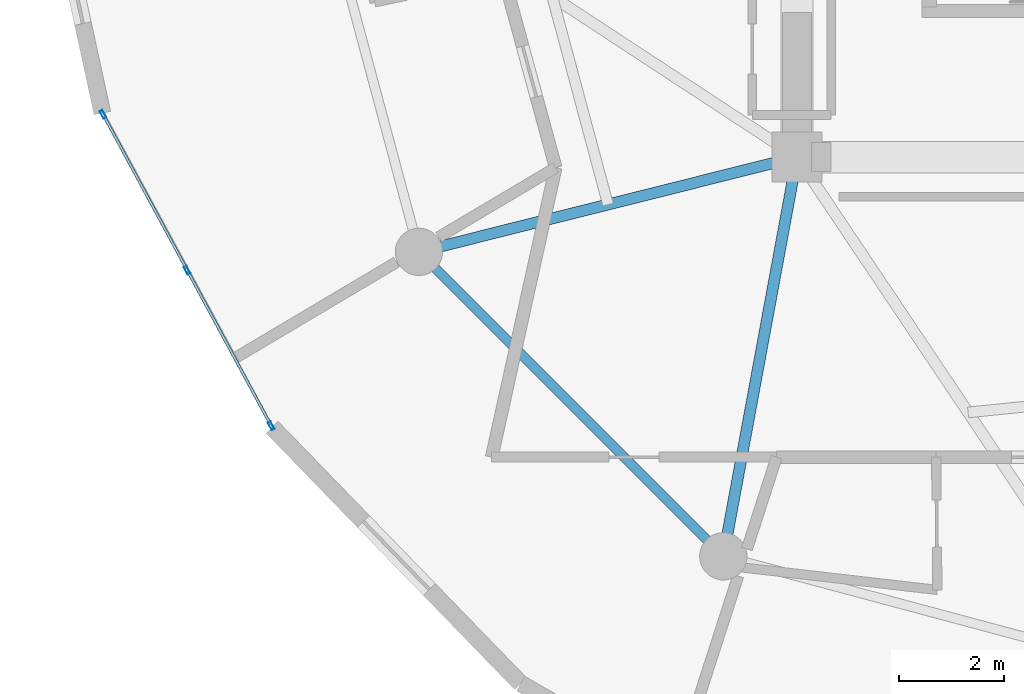
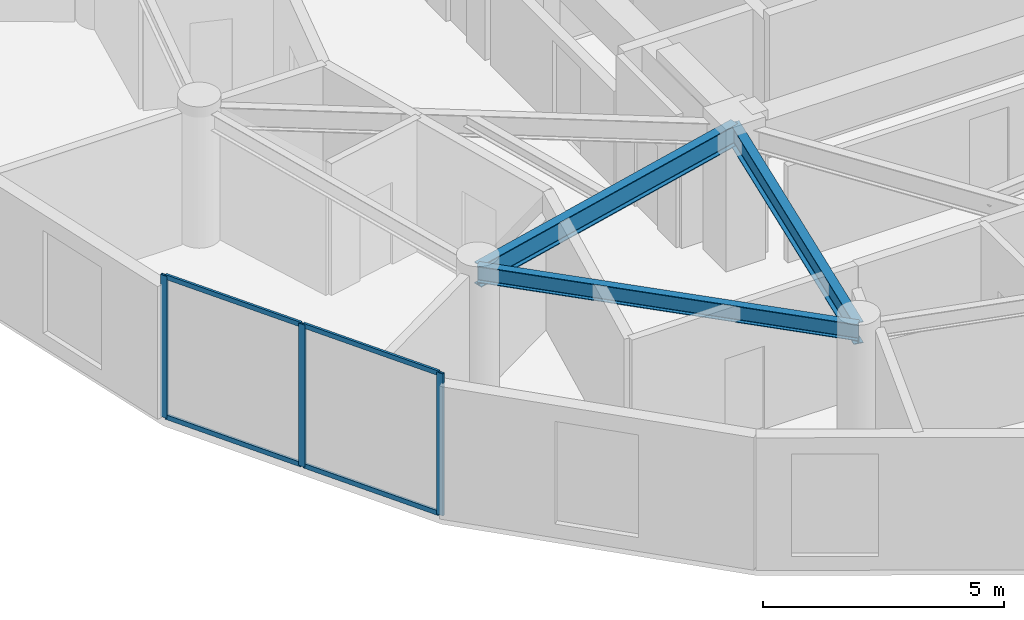
# One storey, part 3 of 23: 7 members, 3 beams, 1 element without a shape of its own.
"""IFC4 building model written with IfcOpenShell, lengths in metres."""

from ifc_helpers import new_model, si_unit, direction, frame, origin, origin_2d, place, context, subcontext, project, spatial, hollow_rectangle, i_section, extrude, source, transform, mapped, material, layer, layer_set, material_profile, profile_set, type_object, element, aggregate, save


model = new_model("IFC4")

# Units and contexts
model_context = context("Model", 3, precision=1e-05, world=origin(), true_north=direction((0.0, 1.0)))
body_context = subcontext(model_context, "Body", "Model", "MODEL_VIEW")
ifc_project = project(units=[si_unit("LENGTHUNIT", "METRE"), si_unit("AREAUNIT", "SQUARE_METRE"), si_unit("VOLUMEUNIT", "CUBIC_METRE"), si_unit("PLANEANGLEUNIT", "RADIAN"), si_unit("MASSUNIT", "GRAM", prefix="KILO")], contexts=[model_context])

# Site, building, storey
site_placement = place(None, origin())
site = spatial("IfcSite", under=ifc_project, at=site_placement, CompositionType="ELEMENT")
building_placement = place(site_placement, origin())
building = spatial("IfcBuilding", under=site, at=building_placement, Name="Solvirekh Grand Hotel", CompositionType="ELEMENT")
storey_placement = place(building_placement, frame((0.0, 0.0, 180.39990234375)))
storey = spatial("IfcBuildingStorey", under=building, at=storey_placement, Name="L46", CompositionType="ELEMENT", Elevation=180.39990234375)

# Beams
ifc_material_1 = material(Name="Steel S355", Category="steel")
ifc_material_profile_1 = material_profile(ifc_material_1, i_section(OverallWidth=0.2119140625, OverallDepth=0.5439453125, WebThickness=0.011962890625, FlangeThickness=0.01904296875, FilletRadius=0.013916015625, at=origin_2d()), Name="W530X123")
ifc_profile_set_1 = profile_set([ifc_material_profile_1], Name="Steel S355")
beam_type_1 = type_object("IfcBeamType", Name="Beam_Radial_W530H", PredefinedType="BEAM", material=ifc_profile_set_1)
beam_1_placement = place(storey_placement, frame((-6.5, -6.10009765625, 3.088134765625), z_axis=(-0.970014367692, -0.243047580675, 0.0), x_axis=(0.243047580675, -0.970014367692, 0.0)))
element("IfcBeam", 1, at=beam_1_placement, inside=storey, type_object=beam_type_1, Name="L46 radial floor beam R08", PredefinedType="BEAM", context=body_context, shape_type="SweptSolid", body=[
    extrude(i_section(OverallWidth=0.2119140625, OverallDepth=0.5439453125, WebThickness=0.011962890625, FlangeThickness=0.01904296875, FilletRadius=0.013916015625, at=origin_2d()), origin(), (0.0, 0.0, 1.0), 7.4052734375),
])
beam_2_placement = place(storey_placement, frame((-6.5, -6.10009765625, 3.088134765625), z_axis=(-0.181542769111, -0.983383049978, 0.0), x_axis=(0.983383049978, -0.181542769111, 0.0)))
element("IfcBeam", 2, at=beam_2_placement, inside=storey, type_object=beam_type_1, Name="L46 radial floor beam R09", PredefinedType="BEAM", context=body_context, shape_type="SweptSolid", body=[
    extrude(i_section(OverallWidth=0.2119140625, OverallDepth=0.5439453125, WebThickness=0.011962890625, FlangeThickness=0.01904296875, FilletRadius=0.013916015625, at=origin_2d()), origin(), (0.0, 0.0, 1.0), 7.711181640625),
])
ifc_material_profile_2 = material_profile(ifc_material_1, i_section(OverallWidth=0.180908203125, OverallDepth=0.4169921875, WebThickness=0.010009765625, FlangeThickness=0.01611328125, FilletRadius=0.011962890625, at=origin_2d()), Name="W410X85")
ifc_profile_set_2 = profile_set([ifc_material_profile_2], Name="Steel S355")
beam_type_2 = type_object("IfcBeamType", Name="Spandrel_Ring_W410", PredefinedType="SPANDREL", material=ifc_profile_set_2)
beam_3_placement = place(storey_placement, frame((-13.68310546875, -7.89990234375, 3.152099609375), z_axis=(0.707106781187, -0.707106781187, 0.0), x_axis=(0.707106781187, 0.707106781187, 0.0)))
element("IfcBeam", 3, at=beam_3_placement, inside=storey, type_object=beam_type_2, Name="L46 perimeter spandrel beam 8", PredefinedType="SPANDREL", context=body_context, shape_type="SweptSolid", body=[
    extrude(i_section(OverallWidth=0.180908203125, OverallDepth=0.4169921875, WebThickness=0.010009765625, FlangeThickness=0.01611328125, FilletRadius=0.011962890625, at=origin_2d()), origin(), (0.0, 0.0, 1.0), 8.1787109375),
])

# Curtain wall, members
ifc_material_2 = material(Name="Anodized Bronze Aluminium 6063-T6", Category="aluminium")
ifc_layer = layer(ifc_material_2, 0.159912109375)
ifc_layer_set = layer_set([ifc_layer], Name="Anodized Bronze Aluminium 6063-T6")
curtain_wall_type = type_object("IfcCurtainWallType", Name="CW_Sys4_HighZoneFlushBronzeCW", PredefinedType="NOTDEFINED", material=ifc_layer_set)
curtain_wall_placement = place(storey_placement, origin())
curtain_wall = element("IfcCurtainWall", 4, at=curtain_wall_placement, inside=storey, type_object=curtain_wall_type, Name="L46 unitised bronze-glass curtain wall CW-L46-C15", PredefinedType="NOTDEFINED")
ifc_material_profile_3 = material_profile(ifc_material_2, hollow_rectangle(XDim=0.06005859375, YDim=0.159912109375, WallThickness=0.0048828125, at=origin_2d()), Name="ALU RHS 160X60X5")
ifc_profile_set_3 = profile_set([ifc_material_profile_3], Name="Anodized Bronze Aluminium 6063-T6")
member_type_1 = type_object("IfcMemberType", Name="CWMullion_Sys4", PredefinedType="MULLION", material=ifc_profile_set_3)
shared_shape_1 = source(origin(), body_context, "Body", "SweptSolid", [
    extrude(hollow_rectangle(XDim=0.06005859375, YDim=0.159912109375, WallThickness=0.0048828125, at=origin_2d()), origin(), (0.0, 0.0, 1.0), 3.60009765625),
])
member_1_placement = place(storey_placement, frame((-19.683837890625, -5.288330078125, 0.0), z_axis=(0.0, 0.0, 1.0), x_axis=(0.879893073373, 0.475171736775, 0.0)))
member_1 = element("IfcMember", 5, at=member_1_placement, type_object=member_type_1, Name="U04 mullion 1", PredefinedType="MULLION", context=body_context, shape_type="MappedRepresentation", body=[
    mapped(shared_shape_1, transform((0.0, 0.0, 0.0), x_axis=(1.0, 0.0, 0.0), y_axis=(0.0, 1.0, 0.0), z_axis=(0.0, 0.0, 1.0), scale=1.0)),
])
member_2_placement = place(storey_placement, frame((-18.0859375, -8.2470703125, 0.0), z_axis=(0.0, 0.0, 1.0), x_axis=(0.879893073373, 0.475171736775, 0.0)))
member_2 = element("IfcMember", 6, at=member_2_placement, type_object=member_type_1, Name="U04 mullion 2", PredefinedType="MULLION", context=body_context, shape_type="MappedRepresentation", body=[
    mapped(shared_shape_1, transform((0.0, 0.0, 0.0), x_axis=(1.0, 0.0, 0.0), y_axis=(0.0, 1.0, 0.0), z_axis=(0.0, 0.0, 1.0), scale=1.0)),
])
member_3_placement = place(storey_placement, frame((-16.48828125, -11.20556640625, 0.0), z_axis=(0.0, 0.0, 1.0), x_axis=(0.879893073373, 0.475171736775, 0.0)))
member_3 = element("IfcMember", 7, at=member_3_placement, type_object=member_type_1, Name="U04 mullion 3", PredefinedType="MULLION", context=body_context, shape_type="MappedRepresentation", body=[
    mapped(shared_shape_1, transform((0.0, 0.0, 0.0), x_axis=(1.0, 0.0, 0.0), y_axis=(0.0, 1.0, 0.0), z_axis=(0.0, 0.0, 1.0), scale=1.0)),
])
ifc_material_profile_4 = material_profile(ifc_material_2, hollow_rectangle(XDim=0.054931640625, YDim=0.1201171875, WallThickness=0.00390625, at=origin_2d()), Name="ALU RHS 120X55X4")
ifc_profile_set_4 = profile_set([ifc_material_profile_4], Name="Anodized Bronze Aluminium 6063-T6")
member_type_2 = type_object("IfcMemberType", Name="CWTransom_Sys4", PredefinedType="USERDEFINED", material=ifc_profile_set_4)
shared_shape_2 = source(origin(), body_context, "Body", "SweptSolid", [
    extrude(hollow_rectangle(XDim=0.054931640625, YDim=0.1201171875, WallThickness=0.00390625, at=origin_2d()), origin(), (0.0, 0.0, 1.0), 3.302490234375),
])
member_4_placement = place(storey_placement, frame((-19.66943359375, -5.314697265625, 0.027587890625), z_axis=(0.475113428707, -0.879924559188, 0.0), x_axis=(0.879924559188, 0.475113428707, 0.0)))
member_4 = element("IfcMember", 8, at=member_4_placement, type_object=member_type_2, Name="U04 transom 1.1", ObjectType="TRANSOM", PredefinedType="USERDEFINED", context=body_context, shape_type="MappedRepresentation", body=[
    mapped(shared_shape_2, transform((0.0, 0.0, 0.0), x_axis=(1.0, 0.0, 0.0), y_axis=(0.0, 1.0, 0.0), z_axis=(0.0, 0.0, 1.0), scale=1.0)),
])
member_5_placement = place(storey_placement, frame((-19.66943359375, -5.314697265625, 3.572509765625), z_axis=(0.475113428707, -0.879924559188, 0.0), x_axis=(0.879924559188, 0.475113428707, 0.0)))
member_5 = element("IfcMember", 9, at=member_5_placement, type_object=member_type_2, Name="U04 transom 1.2", ObjectType="TRANSOM", PredefinedType="USERDEFINED", context=body_context, shape_type="MappedRepresentation", body=[
    mapped(shared_shape_2, transform((0.0, 0.0, 0.0), x_axis=(1.0, 0.0, 0.0), y_axis=(0.0, 1.0, 0.0), z_axis=(0.0, 0.0, 1.0), scale=1.0)),
])
member_6_placement = place(storey_placement, frame((-18.07177734375, -8.2734375, 0.027587890625), z_axis=(0.475201571573, -0.87987696093, 0.0), x_axis=(0.87987696093, 0.475201571573, 0.0)))
member_6 = element("IfcMember", 10, at=member_6_placement, type_object=member_type_2, Name="U04 transom 2.1", ObjectType="TRANSOM", PredefinedType="USERDEFINED", context=body_context, shape_type="MappedRepresentation", body=[
    mapped(shared_shape_2, transform((0.0, 0.0, 0.0), x_axis=(1.0, 0.0, 0.0), y_axis=(0.0, 1.0, 0.0), z_axis=(0.0, 0.0, 1.0), scale=1.0)),
])
member_7_placement = place(storey_placement, frame((-18.07177734375, -8.2734375, 3.572509765625), z_axis=(0.475201571573, -0.87987696093, 0.0), x_axis=(0.87987696093, 0.475201571573, 0.0)))
member_7 = element("IfcMember", 11, at=member_7_placement, type_object=member_type_2, Name="U04 transom 2.2", ObjectType="TRANSOM", PredefinedType="USERDEFINED", context=body_context, shape_type="MappedRepresentation", body=[
    mapped(shared_shape_2, transform((0.0, 0.0, 0.0), x_axis=(1.0, 0.0, 0.0), y_axis=(0.0, 1.0, 0.0), z_axis=(0.0, 0.0, 1.0), scale=1.0)),
])
aggregate(curtain_wall, [member_1, member_2, member_3, member_4, member_5, member_6, member_7])

save(model, "model.ifc")
